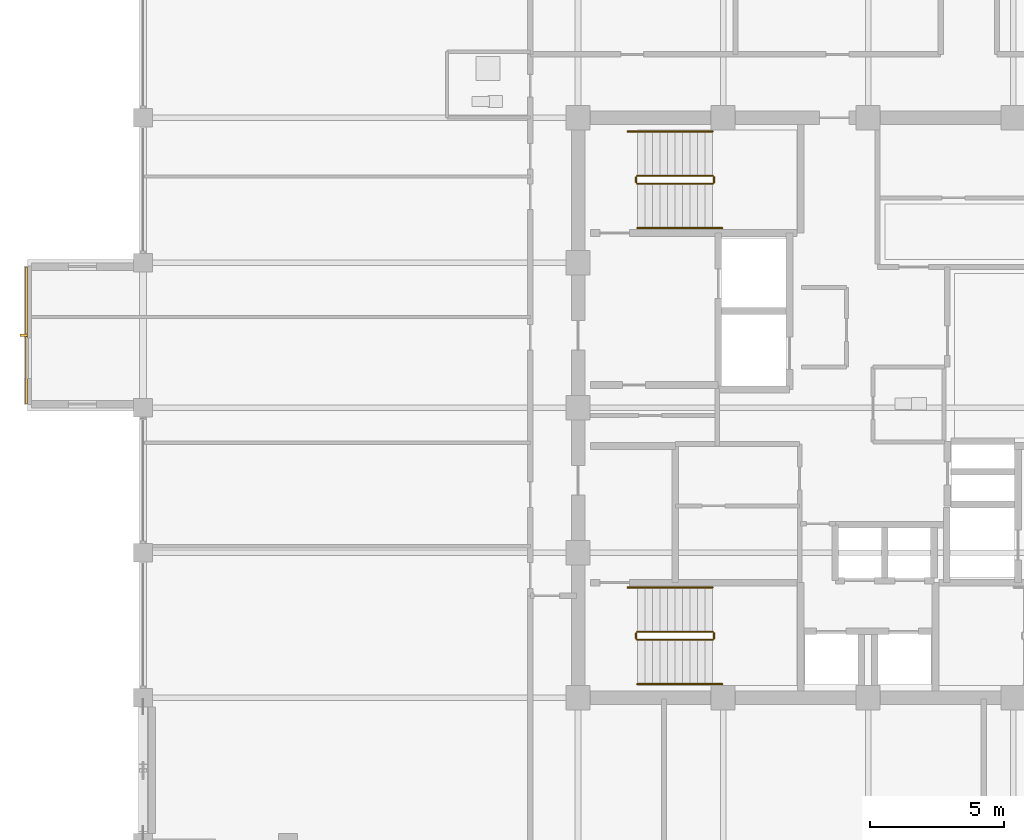
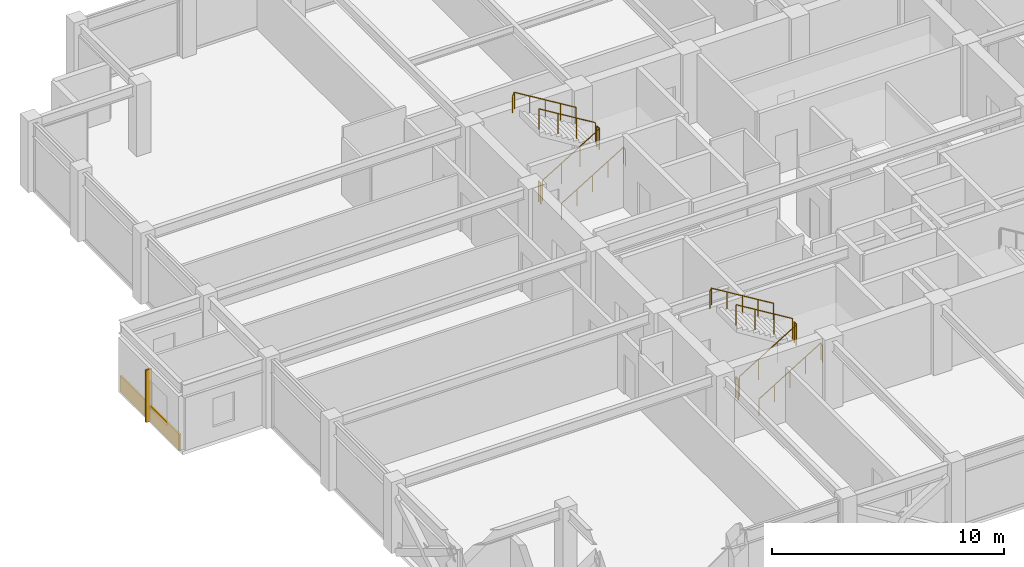
# One storey, part 29 of 31: 12 railings, 1 covering, 1 shading device.
"""IFC4 building model written with IfcOpenShell, lengths in metres."""

from ifc_helpers import new_model, si_unit, direction, frame, origin, origin_2d, place, context, subcontext, project, spatial, rectangle, circle, extrude, material, layer, layer_set, type_object, element, save


model = new_model("IFC4")

# Units and contexts
model_context = context("Model", 3, precision=1e-05, world=origin(), true_north=direction((0.0, 1.0)))
body_context = subcontext(model_context, "Body", "Model", "MODEL_VIEW")
ifc_project = project(units=[si_unit("LENGTHUNIT", "METRE"), si_unit("AREAUNIT", "SQUARE_METRE"), si_unit("VOLUMEUNIT", "CUBIC_METRE"), si_unit("PLANEANGLEUNIT", "RADIAN"), si_unit("MASSUNIT", "GRAM", prefix="KILO")], contexts=[model_context])

# Site, building, storey
site_placement = place(None, origin())
site = spatial("IfcSite", under=ifc_project, at=site_placement, CompositionType="ELEMENT")
building_placement = place(site_placement, origin())
building = spatial("IfcBuilding", under=site, at=building_placement, Name="Surkhivell Harbour Commons", CompositionType="ELEMENT")
storey_placement = place(building_placement, frame((0.0, 0.0, 318.75)))
storey = spatial("IfcBuildingStorey", under=building, at=storey_placement, Name="L83", CompositionType="ELEMENT", Elevation=318.75)

# Covering
ifc_material_1 = material(Name="Vermilion-coral enamelled aluminium cassette panel", Category="aluminium")
ifc_layer = layer(ifc_material_1, 0.074951171875)
ifc_layer_set = layer_set([ifc_layer], Name="Vermilion-coral enamelled aluminium cassette panel")
covering_type = type_object("IfcCoveringType", Name="COV-CLAD-VER", PredefinedType="CLADDING", material=ifc_layer_set)
covering_placement = place(storey_placement, frame((-31.340087890625, 2.699951171875, 0.0), z_axis=(0.0, 0.0, 1.0), x_axis=(1.0, 0.0, 0.0)))
element("IfcCovering", 1, at=covering_placement, inside=storey, type_object=covering_type, Name="L83 Coloured-Panel Box Spandrel Cassette 02", PredefinedType="CLADDING", context=body_context, shape_type="SweptSolid", body=[
    extrude(rectangle(XDim=0.080078125, YDim=5.10009765625, at=origin_2d()), origin(), (0.0, 0.0, 1.0), 0.840087890625),
])

# Railings
ifc_material_2 = material(Name="Galvanised and painted steel S355 guard rail", Category="steel")
railing_type_1 = type_object("IfcRailingType", Name="RAL-ST-GRD1100", PredefinedType="GUARDRAIL", material=ifc_material_2)
railing_1_placement = place(storey_placement, frame((-8.590087890625, 8.340087890625, 0.17041015625)))
element("IfcRailing", 2, at=railing_1_placement, inside=storey, type_object=railing_type_1, Name="L83 ST1 stair guard 1", PredefinedType="GUARDRAIL", context=body_context, shape_type="SweptSolid", body=[
    extrude(circle(Radius=0.02392578125, at=origin_2d()), frame((0.0, 0.0, 1.076171875), z_axis=(0.854169791009, 0.0, 0.51999420009), x_axis=(0.0, 1.0, 0.0)), (0.0, 0.0, 1.0), 3.278076171875),
    extrude(circle(Radius=0.02099609375, at=origin_2d()), origin(), (0.0, 0.0, 1.0), 1.052001953125),
    extrude(circle(Radius=0.02099609375, at=origin_2d()), frame((0.933349609375, 0.0, 0.568115234375)), (0.0, 0.0, 1.0), 1.052001953125),
    extrude(circle(Radius=0.02099609375, at=origin_2d()), frame((1.86669921875, 0.0, 1.136474609375)), (0.0, 0.0, 1.0), 1.052001953125),
    extrude(circle(Radius=0.02099609375, at=origin_2d()), frame((2.800048828125, 0.0, 1.70458984375)), (0.0, 0.0, 1.0), 1.052001953125),
])
railing_2_placement = place(storey_placement, frame((-5.739990234375, 8.389892578125, 1.875)))
element("IfcRailing", 3, at=railing_2_placement, inside=storey, type_object=railing_type_1, Name="L83 ST1 stair guard 2", PredefinedType="GUARDRAIL", context=body_context, shape_type="SweptSolid", body=[
    extrude(circle(Radius=0.02392578125, at=origin_2d()), frame((0.0, 0.0, 1.076171875), z_axis=(0.0, 1.0, 0.0), x_axis=(-1.0, 0.0, 0.0)), (0.0, 0.0, 1.0), 0.2001953125),
    extrude(circle(Radius=0.02099609375, at=origin_2d()), origin(), (0.0, 0.0, 1.0), 1.052001953125),
    extrude(circle(Radius=0.02099609375, at=origin_2d()), frame((0.0, 0.2001953125, 0.0)), (0.0, 0.0, 1.0), 1.052001953125),
])
railing_3_placement = place(storey_placement, frame((-5.7900390625, 8.639892578125, 2.04541015625)))
element("IfcRailing", 4, at=railing_3_placement, inside=storey, type_object=railing_type_1, Name="L83 ST1 stair guard 3", PredefinedType="GUARDRAIL", context=body_context, shape_type="SweptSolid", body=[
    extrude(circle(Radius=0.02392578125, at=origin_2d()), frame((0.0, 0.0, 1.076171875), z_axis=(-0.854169791009, 0.0, 0.51999420009), x_axis=(0.0, -1.0, 0.0)), (0.0, 0.0, 1.0), 3.278076171875),
    extrude(circle(Radius=0.02099609375, at=origin_2d()), origin(), (0.0, 0.0, 1.0), 1.052001953125),
    extrude(circle(Radius=0.02099609375, at=origin_2d()), frame((-0.933349609375, 0.0, 0.568115234375)), (0.0, 0.0, 1.0), 1.052001953125),
    extrude(circle(Radius=0.02099609375, at=origin_2d()), frame((-1.86669921875, 0.0, 1.136474609375)), (0.0, 0.0, 1.0), 1.052001953125),
    extrude(circle(Radius=0.02099609375, at=origin_2d()), frame((-2.800048828125, 0.0, 1.70458984375)), (0.0, 0.0, 1.0), 1.052001953125),
])
railing_4_placement = place(storey_placement, frame((-8.639892578125, 8.389892578125, 0.0)))
element("IfcRailing", 5, at=railing_4_placement, inside=storey, type_object=railing_type_1, Name="L83 ST1 stair guard 4", PredefinedType="GUARDRAIL", context=body_context, shape_type="SweptSolid", body=[
    extrude(circle(Radius=0.02392578125, at=origin_2d()), frame((0.0, 0.0, 1.076171875), z_axis=(0.0, 1.0, 0.0), x_axis=(-1.0, 0.0, 0.0)), (0.0, 0.0, 1.0), 0.2001953125),
    extrude(circle(Radius=0.02099609375, at=origin_2d()), origin(), (0.0, 0.0, 1.0), 1.052001953125),
    extrude(circle(Radius=0.02099609375, at=origin_2d()), frame((0.0, 0.2001953125, 0.0)), (0.0, 0.0, 1.0), 1.052001953125),
])
railing_5_placement = place(storey_placement, frame((-8.590087890625, -8.639892578125, 0.17041015625)))
element("IfcRailing", 6, at=railing_5_placement, inside=storey, type_object=railing_type_1, Name="L83 ST3 stair guard 1", PredefinedType="GUARDRAIL", context=body_context, shape_type="SweptSolid", body=[
    extrude(circle(Radius=0.02392578125, at=origin_2d()), frame((0.0, 0.0, 1.076171875), z_axis=(0.854169791009, 0.0, 0.51999420009), x_axis=(0.0, 1.0, 0.0)), (0.0, 0.0, 1.0), 3.278076171875),
    extrude(circle(Radius=0.02099609375, at=origin_2d()), origin(), (0.0, 0.0, 1.0), 1.052001953125),
    extrude(circle(Radius=0.02099609375, at=origin_2d()), frame((0.933349609375, 0.0, 0.568115234375)), (0.0, 0.0, 1.0), 1.052001953125),
    extrude(circle(Radius=0.02099609375, at=origin_2d()), frame((1.86669921875, 0.0, 1.136474609375)), (0.0, 0.0, 1.0), 1.052001953125),
    extrude(circle(Radius=0.02099609375, at=origin_2d()), frame((2.800048828125, 0.0, 1.70458984375)), (0.0, 0.0, 1.0), 1.052001953125),
])
railing_6_placement = place(storey_placement, frame((-5.739990234375, -8.590087890625, 1.875)))
element("IfcRailing", 7, at=railing_6_placement, inside=storey, type_object=railing_type_1, Name="L83 ST3 stair guard 2", PredefinedType="GUARDRAIL", context=body_context, shape_type="SweptSolid", body=[
    extrude(circle(Radius=0.02392578125, at=origin_2d()), frame((0.0, 0.0, 1.076171875), z_axis=(0.0, 1.0, 0.0), x_axis=(-1.0, 0.0, 0.0)), (0.0, 0.0, 1.0), 0.2001953125),
    extrude(circle(Radius=0.02099609375, at=origin_2d()), origin(), (0.0, 0.0, 1.0), 1.052001953125),
    extrude(circle(Radius=0.02099609375, at=origin_2d()), frame((0.0, 0.2001953125, 0.0)), (0.0, 0.0, 1.0), 1.052001953125),
])
railing_7_placement = place(storey_placement, frame((-5.7900390625, -8.340087890625, 2.04541015625)))
element("IfcRailing", 8, at=railing_7_placement, inside=storey, type_object=railing_type_1, Name="L83 ST3 stair guard 3", PredefinedType="GUARDRAIL", context=body_context, shape_type="SweptSolid", body=[
    extrude(circle(Radius=0.02392578125, at=origin_2d()), frame((0.0, 0.0, 1.076171875), z_axis=(-0.854169791009, 0.0, 0.51999420009), x_axis=(0.0, -1.0, 0.0)), (0.0, 0.0, 1.0), 3.278076171875),
    extrude(circle(Radius=0.02099609375, at=origin_2d()), origin(), (0.0, 0.0, 1.0), 1.052001953125),
    extrude(circle(Radius=0.02099609375, at=origin_2d()), frame((-0.933349609375, 0.0, 0.568115234375)), (0.0, 0.0, 1.0), 1.052001953125),
    extrude(circle(Radius=0.02099609375, at=origin_2d()), frame((-1.86669921875, 0.0, 1.136474609375)), (0.0, 0.0, 1.0), 1.052001953125),
    extrude(circle(Radius=0.02099609375, at=origin_2d()), frame((-2.800048828125, 0.0, 1.70458984375)), (0.0, 0.0, 1.0), 1.052001953125),
])
railing_8_placement = place(storey_placement, frame((-8.639892578125, -8.590087890625, 0.0)))
element("IfcRailing", 9, at=railing_8_placement, inside=storey, type_object=railing_type_1, Name="L83 ST3 stair guard 4", PredefinedType="GUARDRAIL", context=body_context, shape_type="SweptSolid", body=[
    extrude(circle(Radius=0.02392578125, at=origin_2d()), frame((0.0, 0.0, 1.076171875), z_axis=(0.0, 1.0, 0.0), x_axis=(-1.0, 0.0, 0.0)), (0.0, 0.0, 1.0), 0.2001953125),
    extrude(circle(Radius=0.02099609375, at=origin_2d()), origin(), (0.0, 0.0, 1.0), 1.052001953125),
    extrude(circle(Radius=0.02099609375, at=origin_2d()), frame((0.0, 0.2001953125, 0.0)), (0.0, 0.0, 1.0), 1.052001953125),
])
ifc_material_3 = material(Name="Brushed stainless steel S355 handrail", Category="steel")
railing_type_2 = type_object("IfcRailingType", Name="RAL-ST-HND900", PredefinedType="HANDRAIL", material=ifc_material_3)
railing_9_placement = place(storey_placement, frame((-8.590087890625, 6.68994140625, 0.17041015625)))
element("IfcRailing", 10, at=railing_9_placement, inside=storey, type_object=railing_type_2, Name="L83 ST1 stair handrail 1", PredefinedType="HANDRAIL", context=body_context, shape_type="SweptSolid", body=[
    extrude(circle(Radius=0.02392578125, at=origin_2d()), frame((0.0, 0.0, 0.8759765625), z_axis=(0.854177636135, 0.0, 0.519981313056), x_axis=(0.0, 1.0, 0.0)), (0.0, 0.0, 1.0), 3.60595703125),
    extrude(circle(Radius=0.02392578125, at=origin_2d()), frame((3.080078125, 0.0, 2.7509765625), z_axis=(0.425297416671, 0.0, -0.905053648892), x_axis=(0.0, 1.0, 0.0)), (0.0, 0.0, 1.0), 0.188232421875),
    extrude(circle(Radius=0.02099609375, at=origin_2d()), origin(), (0.0, 0.0, 1.0), 0.851806640625),
    extrude(circle(Radius=0.02099609375, at=origin_2d()), frame((0.77001953125, 0.0, 0.46875)), (0.0, 0.0, 1.0), 0.851806640625),
    extrude(circle(Radius=0.02099609375, at=origin_2d()), frame((1.5400390625, 0.0, 0.9375)), (0.0, 0.0, 1.0), 0.851806640625),
    extrude(circle(Radius=0.02099609375, at=origin_2d()), frame((2.31005859375, 0.0, 1.40625)), (0.0, 0.0, 1.0), 0.851806640625),
    extrude(circle(Radius=0.02099609375, at=origin_2d()), frame((3.080078125, 0.0, 1.875)), (0.0, 0.0, 1.0), 0.851806640625),
    extrude(circle(Radius=0.02099609375, at=origin_2d()), frame((3.16015625, 0.0, 1.70458984375)), (0.0, 0.0, 1.0), 0.851806640625),
])
railing_10_placement = place(storey_placement, frame((-5.7900390625, 10.2900390625, 2.04541015625)))
element("IfcRailing", 11, at=railing_10_placement, inside=storey, type_object=railing_type_2, Name="L83 ST1 stair handrail 2", PredefinedType="HANDRAIL", context=body_context, shape_type="SweptSolid", body=[
    extrude(circle(Radius=0.02392578125, at=origin_2d()), frame((0.0, 0.0, 0.8759765625), z_axis=(-0.854177636135, 0.0, 0.519981313056), x_axis=(0.0, -1.0, 0.0)), (0.0, 0.0, 1.0), 3.60595703125),
    extrude(circle(Radius=0.02392578125, at=origin_2d()), frame((-3.080078125, 0.0, 2.7509765625), z_axis=(-0.424234432967, 0.0, -0.905552398199), x_axis=(0.0, -1.0, 0.0)), (0.0, 0.0, 1.0), 0.188232421875),
    extrude(circle(Radius=0.02099609375, at=origin_2d()), origin(), (0.0, 0.0, 1.0), 0.851806640625),
    extrude(circle(Radius=0.02099609375, at=origin_2d()), frame((-0.77001953125, 0.0, 0.46875)), (0.0, 0.0, 1.0), 0.851806640625),
    extrude(circle(Radius=0.02099609375, at=origin_2d()), frame((-1.5400390625, 0.0, 0.9375)), (0.0, 0.0, 1.0), 0.851806640625),
    extrude(circle(Radius=0.02099609375, at=origin_2d()), frame((-2.31005859375, 0.0, 1.40625)), (0.0, 0.0, 1.0), 0.851806640625),
    extrude(circle(Radius=0.02099609375, at=origin_2d()), frame((-3.080078125, 0.0, 1.875)), (0.0, 0.0, 1.0), 0.851806640625),
    extrude(circle(Radius=0.02099609375, at=origin_2d()), frame((-3.159912109375, 0.0, 1.70458984375)), (0.0, 0.0, 1.0), 0.851806640625),
])
railing_11_placement = place(storey_placement, frame((-8.590087890625, -10.2900390625, 0.17041015625)))
element("IfcRailing", 12, at=railing_11_placement, inside=storey, type_object=railing_type_2, Name="L83 ST3 stair handrail 1", PredefinedType="HANDRAIL", context=body_context, shape_type="SweptSolid", body=[
    extrude(circle(Radius=0.02392578125, at=origin_2d()), frame((0.0, 0.0, 0.8759765625), z_axis=(0.854177636135, 0.0, 0.519981313056), x_axis=(0.0, 1.0, 0.0)), (0.0, 0.0, 1.0), 3.60595703125),
    extrude(circle(Radius=0.02392578125, at=origin_2d()), frame((3.080078125, 0.0, 2.7509765625), z_axis=(0.425297416671, 0.0, -0.905053648892), x_axis=(0.0, 1.0, 0.0)), (0.0, 0.0, 1.0), 0.188232421875),
    extrude(circle(Radius=0.02099609375, at=origin_2d()), origin(), (0.0, 0.0, 1.0), 0.851806640625),
    extrude(circle(Radius=0.02099609375, at=origin_2d()), frame((0.77001953125, 0.0, 0.46875)), (0.0, 0.0, 1.0), 0.851806640625),
    extrude(circle(Radius=0.02099609375, at=origin_2d()), frame((1.5400390625, 0.0, 0.9375)), (0.0, 0.0, 1.0), 0.851806640625),
    extrude(circle(Radius=0.02099609375, at=origin_2d()), frame((2.31005859375, 0.0, 1.40625)), (0.0, 0.0, 1.0), 0.851806640625),
    extrude(circle(Radius=0.02099609375, at=origin_2d()), frame((3.080078125, 0.0, 1.875)), (0.0, 0.0, 1.0), 0.851806640625),
    extrude(circle(Radius=0.02099609375, at=origin_2d()), frame((3.16015625, 0.0, 1.70458984375)), (0.0, 0.0, 1.0), 0.851806640625),
])
railing_12_placement = place(storey_placement, frame((-5.7900390625, -6.68994140625, 2.04541015625)))
element("IfcRailing", 13, at=railing_12_placement, inside=storey, type_object=railing_type_2, Name="L83 ST3 stair handrail 2", PredefinedType="HANDRAIL", context=body_context, shape_type="SweptSolid", body=[
    extrude(circle(Radius=0.02392578125, at=origin_2d()), frame((0.0, 0.0, 0.8759765625), z_axis=(-0.854177636135, 0.0, 0.519981313056), x_axis=(0.0, -1.0, 0.0)), (0.0, 0.0, 1.0), 3.60595703125),
    extrude(circle(Radius=0.02392578125, at=origin_2d()), frame((-3.080078125, 0.0, 2.7509765625), z_axis=(-0.424234432967, 0.0, -0.905552398199), x_axis=(0.0, -1.0, 0.0)), (0.0, 0.0, 1.0), 0.188232421875),
    extrude(circle(Radius=0.02099609375, at=origin_2d()), origin(), (0.0, 0.0, 1.0), 0.851806640625),
    extrude(circle(Radius=0.02099609375, at=origin_2d()), frame((-0.77001953125, 0.0, 0.46875)), (0.0, 0.0, 1.0), 0.851806640625),
    extrude(circle(Radius=0.02099609375, at=origin_2d()), frame((-1.5400390625, 0.0, 0.9375)), (0.0, 0.0, 1.0), 0.851806640625),
    extrude(circle(Radius=0.02099609375, at=origin_2d()), frame((-2.31005859375, 0.0, 1.40625)), (0.0, 0.0, 1.0), 0.851806640625),
    extrude(circle(Radius=0.02099609375, at=origin_2d()), frame((-3.080078125, 0.0, 1.875)), (0.0, 0.0, 1.0), 0.851806640625),
    extrude(circle(Radius=0.02099609375, at=origin_2d()), frame((-3.159912109375, 0.0, 1.70458984375)), (0.0, 0.0, 1.0), 0.851806640625),
])

# Shading device
ifc_material_4 = material(Name="Champagne anodised aluminium solar fin", Category="aluminium")
shading_device_type = type_object("IfcShadingDeviceType", Name="SHD-FIN-SLIM", PredefinedType="USERDEFINED", material=ifc_material_4)
shading_device_placement = place(storey_placement, frame((-31.43994140625, 2.699951171875, 0.0048828125), z_axis=(0.0, 0.0, 1.0), x_axis=(1.0, 0.0, 0.0)))
element("IfcShadingDevice", 14, at=shading_device_placement, inside=storey, type_object=shading_device_type, Name="L83 Coloured-Box Solar Fin 02", ObjectType="FIN", PredefinedType="USERDEFINED", context=body_context, shape_type="SweptSolid", body=[
    extrude(rectangle(XDim=0.280029296875, YDim=0.080078125, at=origin_2d()), origin(), (0.0, 0.0, 1.0), 2.75),
])

save(model, "model.ifc")
